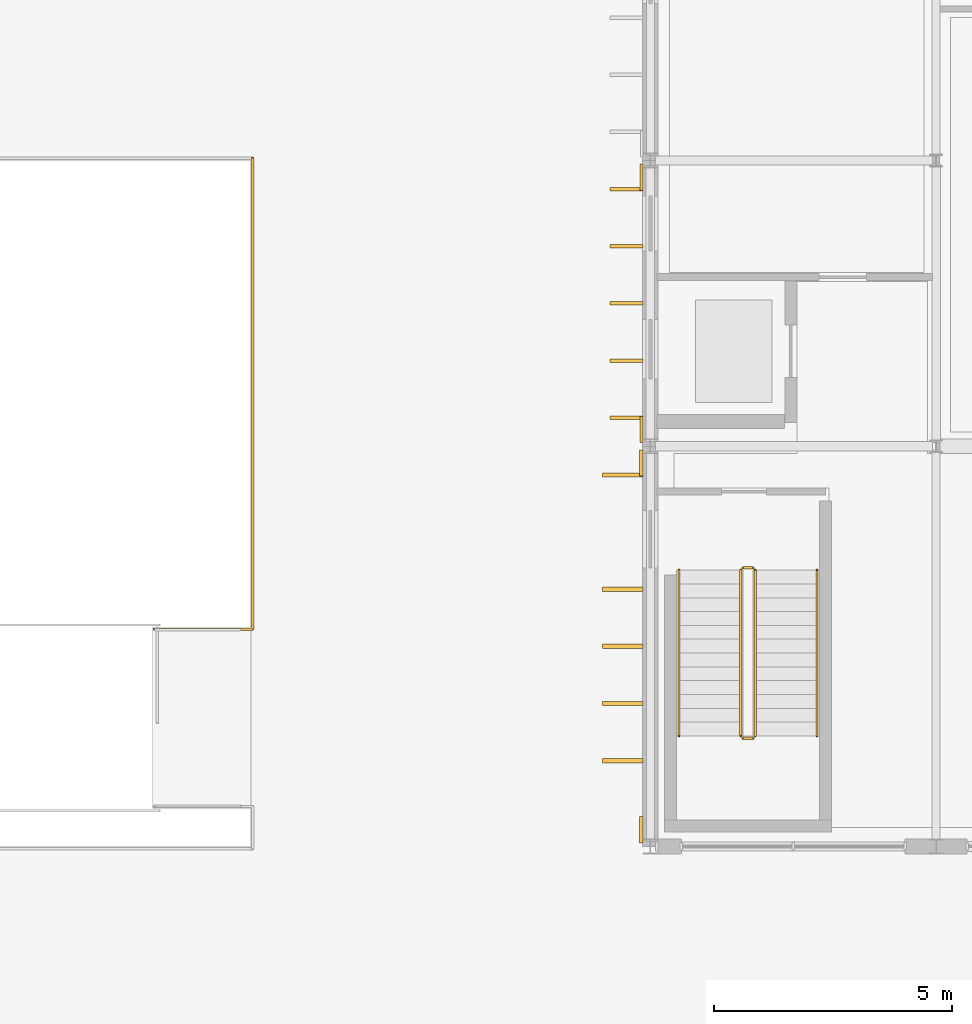
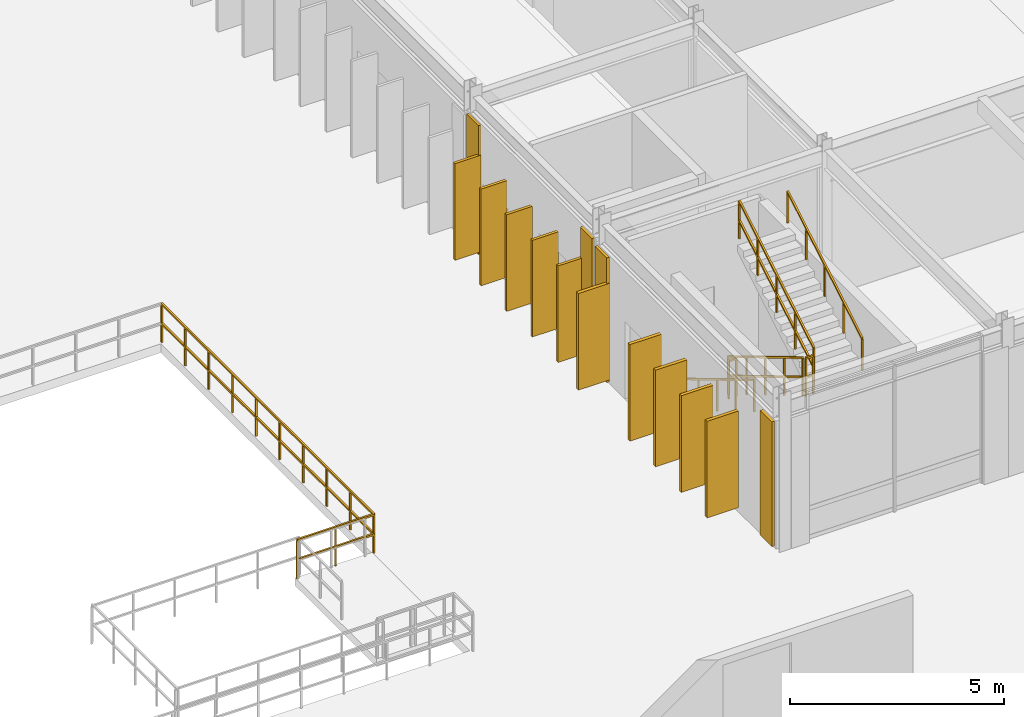
# One storey, part 54 of 67: 10 shading devices, 7 railings, 4 coverings.
"""IFC4 building model written with IfcOpenShell, lengths in metres."""

from ifc_helpers import new_model, si_unit, direction, frame, origin, origin_2d, place, context, subcontext, project, spatial, rectangle, extrude, material, layer, layer_set, type_object, element, save


model = new_model("IFC4")

# Units and contexts
model_context = context("Model", 3, precision=1e-05, world=origin(), true_north=direction((0.0, 1.0)))
body_context = subcontext(model_context, "Body", "Model", "MODEL_VIEW")
ifc_project = project(units=[si_unit("LENGTHUNIT", "METRE"), si_unit("AREAUNIT", "SQUARE_METRE"), si_unit("VOLUMEUNIT", "CUBIC_METRE"), si_unit("PLANEANGLEUNIT", "RADIAN"), si_unit("MASSUNIT", "GRAM", prefix="KILO"), si_unit("THERMODYNAMICTEMPERATUREUNIT", "KELVIN")], contexts=[model_context])

# Site, building, storey
site_placement = place(None, origin())
site = spatial("IfcSite", under=ifc_project, at=site_placement, CompositionType="ELEMENT")
building_placement = place(site_placement, origin())
building = spatial("IfcBuilding", under=site, at=building_placement, Name="Thalorik Housing Commons", CompositionType="ELEMENT")
storey_placement = place(building_placement, origin())
storey = spatial("IfcBuildingStorey", under=building, at=storey_placement, Name="L00", CompositionType="ELEMENT", Elevation=0.0)

# Coverings
ifc_material_1 = material(Name="Precast concrete C40/50", Category="concrete")
ifc_layer_1 = layer(ifc_material_1, 0.074951171875, Name="Precast concrete C40/50", Category="concrete")
ifc_layer_set_1 = layer_set([ifc_layer_1], Name="Precast concrete C40/50")
covering_type_1 = type_object("IfcCoveringType", Name="ARC-CLD-PIER-75", PredefinedType="CLADDING", material=ifc_layer_set_1)
for number, where, z_axis, x_axis, name in (
    (1, (65.810546875, 65.64990234375, 0.0498046875), (0.0, 0.0, 1.0), (0.0, -1.0, 0.0), "L00 Architectural Facade Cladding 5162"),
    (2, (65.810546875, 57.949951171875, 0.0498046875), (0.0, 0.0, 1.0), (0.0, -1.0, 0.0), "L00 Architectural Facade Cladding 5163"),
):
    element("IfcCovering", number, at=place(storey_placement, frame(where, z_axis=z_axis, x_axis=x_axis)), inside=storey, type_object=covering_type_1, Name=name, PredefinedType="CLADDING", context=body_context, shape_type="SweptSolid", body=[
        extrude(rectangle(XDim=0.550048828125, YDim=0.074951171875, at=origin_2d()), origin(), (0.0, 0.0, 1.0), 3.550048828125),
    ])
ifc_material_2 = material(Name="Mineral ochre architectural terracotta panel", Category="masonry")
ifc_layer_2 = layer(ifc_material_2, 0.06494140625, Name="Mineral ochre architectural terracotta panel", Category="masonry")
ifc_layer_set_2 = layer_set([ifc_layer_2], Name="Mineral ochre architectural terracotta panel")
covering_type_2 = type_object("IfcCoveringType", Name="ARC-CLD-YEL-65", PredefinedType="CLADDING", material=ifc_layer_set_2)
for number, where, z_axis, x_axis, name in (
    (3, (65.8154296875, 71.64990234375, 0.0498046875), (0.0, 0.0, 1.0), (0.0, -1.0, 0.0), "L00 Architectural Facade Cladding 5160"),
    (4, (65.8154296875, 66.35009765625, 0.0498046875), (0.0, 0.0, 1.0), (0.0, -1.0, 0.0), "L00 Architectural Facade Cladding 5161"),
):
    element("IfcCovering", number, at=place(storey_placement, frame(where, z_axis=z_axis, x_axis=x_axis)), inside=storey, type_object=covering_type_2, Name=name, PredefinedType="CLADDING", context=body_context, shape_type="SweptSolid", body=[
        extrude(rectangle(XDim=0.550048828125, YDim=0.06494140625, at=origin_2d()), origin(), (0.0, 0.0, 1.0), 3.672119140625),
    ])

# Shading devices
ifc_material_3 = material(Name="Cobalt blue anodised aluminium", Category="aluminium")
shading_device_type_1 = type_object("IfcShadingDeviceType", Name="ARC-FIN-BLU-700", PredefinedType="USERDEFINED", material=ifc_material_3)
for number, where, z_axis, x_axis, name in (
    (5, (65.5, 71.39990234375, 0.1201171875), (0.0, 0.0, 1.0), (0.0, -1.0, 0.0), "L00 Vertical Precast Solar Fin 42"),
    (6, (65.5, 70.199951171875, 0.1201171875), (0.0, 0.0, 1.0), (0.0, -1.0, 0.0), "L00 Vertical Precast Solar Fin 43"),
    (7, (65.5, 69.0, 0.1201171875), (0.0, 0.0, 1.0), (0.0, -1.0, 0.0), "L00 Vertical Precast Solar Fin 44"),
    (8, (65.5, 67.800048828125, 0.1201171875), (0.0, 0.0, 1.0), (0.0, -1.0, 0.0), "L00 Vertical Precast Solar Fin 45"),
    (9, (65.5, 66.60009765625, 0.1201171875), (0.0, 0.0, 1.0), (0.0, -1.0, 0.0), "L00 Vertical Precast Solar Fin 46"),
):
    element("IfcShadingDevice", number, at=place(storey_placement, frame(where, z_axis=z_axis, x_axis=x_axis)), inside=storey, type_object=shading_device_type_1, Name=name, ObjectType="FIN", PredefinedType="USERDEFINED", context=body_context, shape_type="SweptSolid", body=[
        extrude(rectangle(XDim=0.074951171875, YDim=0.699951171875, at=origin_2d()), origin(), (0.0, 0.0, 1.0), 2.75),
    ])
shading_device_type_2 = type_object("IfcShadingDeviceType", Name="ARC-FIN-PC-850A", PredefinedType="USERDEFINED", material=ifc_material_1)
for number, where, z_axis, x_axis, name in (
    (10, (65.425048828125, 65.39990234375, 0.1201171875), (0.0, 0.0, 1.0), (0.0, -1.0, 0.0), "L00 Vertical Precast Solar Fin 47"),
    (11, (65.425048828125, 63.0, 0.1201171875), (0.0, 0.0, 1.0), (0.0, -1.0, 0.0), "L00 Vertical Precast Solar Fin 48"),
    (12, (65.425048828125, 61.800048828125, 0.1201171875), (0.0, 0.0, 1.0), (0.0, -1.0, 0.0), "L00 Vertical Precast Solar Fin 49"),
    (13, (65.425048828125, 60.60009765625, 0.1201171875), (0.0, 0.0, 1.0), (0.0, -1.0, 0.0), "L00 Vertical Precast Solar Fin 50"),
    (14, (65.425048828125, 59.39990234375, 0.1201171875), (0.0, 0.0, 1.0), (0.0, -1.0, 0.0), "L00 Vertical Precast Solar Fin 51"),
):
    element("IfcShadingDevice", number, at=place(storey_placement, frame(where, z_axis=z_axis, x_axis=x_axis)), inside=storey, type_object=shading_device_type_2, Name=name, ObjectType="FIN", PredefinedType="USERDEFINED", context=body_context, shape_type="SweptSolid", body=[
        extrude(rectangle(XDim=0.090087890625, YDim=0.85009765625, at=origin_2d()), origin(), (0.0, 0.0, 1.0), 2.75),
    ])

# Railings
ifc_material_4 = material(Name="Steel S355", Category="steel")
railing_type_1 = type_object("IfcRailingType", Name="ARC-RL-STR-GRD110", PredefinedType="GUARDRAIL", material=ifc_material_4)
railing_1_placement = place(storey_placement, frame((67.89990234375, 63.39990234375, 0.173095703125)))
element("IfcRailing", 15, at=railing_1_placement, inside=storey, type_object=railing_type_1, Name="L00 ST-H1 stair guard 1", PredefinedType="GUARDRAIL", context=body_context, shape_type="SweptSolid", body=[
    extrude(rectangle(XDim=0.048095703125, YDim=0.048095703125, at=origin_2d()), frame((0.0, 0.0, 1.076171875), z_axis=(0.0, -0.858697190188, 0.512483302717), x_axis=(1.0, 0.0, 0.0)), (0.0, 0.0, 1.0), 4.052734375),
    extrude(rectangle(XDim=0.048095703125, YDim=0.048095703125, at=origin_2d()), frame((0.0, 0.0, 0.52587890625), z_axis=(0.0, -0.858697190188, 0.512483302717), x_axis=(1.0, 0.0, 0.0)), (0.0, 0.0, 1.0), 4.052734375),
    extrude(rectangle(XDim=0.0419921875, YDim=0.0419921875, at=origin_2d()), origin(), (0.0, 0.0, 1.0), 1.052001953125),
    extrude(rectangle(XDim=0.0419921875, YDim=0.0419921875, at=origin_2d()), frame((0.0, -0.8701171875, 0.519287109375)), (0.0, 0.0, 1.0), 1.052001953125),
    extrude(rectangle(XDim=0.0419921875, YDim=0.0419921875, at=origin_2d()), frame((0.0, -1.739990234375, 1.03857421875)), (0.0, 0.0, 1.0), 1.052001953125),
    extrude(rectangle(XDim=0.0419921875, YDim=0.0419921875, at=origin_2d()), frame((0.0, -2.60986328125, 1.5576171875)), (0.0, 0.0, 1.0), 1.052001953125),
    extrude(rectangle(XDim=0.0419921875, YDim=0.0419921875, at=origin_2d()), frame((0.0, -3.47998046875, 2.076904296875)), (0.0, 0.0, 1.0), 1.052001953125),
])
railing_2_placement = place(storey_placement, frame((67.949951171875, 59.8701171875, 2.25)))
element("IfcRailing", 16, at=railing_2_placement, inside=storey, type_object=railing_type_1, Name="L00 ST-H1 stair guard 2", PredefinedType="GUARDRAIL", context=body_context, shape_type="SweptSolid", body=[
    extrude(rectangle(XDim=0.048095703125, YDim=0.048095703125, at=origin_2d()), frame((0.0, 0.0, 1.076171875), z_axis=(1.0, 0.0, 0.0), x_axis=(0.0, 1.0, 0.0)), (0.0, 0.0, 1.0), 0.199951171875),
    extrude(rectangle(XDim=0.048095703125, YDim=0.048095703125, at=origin_2d()), frame((0.0, 0.0, 0.52587890625), z_axis=(1.0, 0.0, 0.0), x_axis=(0.0, 1.0, 0.0)), (0.0, 0.0, 1.0), 0.199951171875),
    extrude(rectangle(XDim=0.0419921875, YDim=0.0419921875, at=origin_2d()), origin(), (0.0, 0.0, 1.0), 1.052001953125),
    extrude(rectangle(XDim=0.0419921875, YDim=0.0419921875, at=origin_2d()), frame((0.199951171875, 0.0, 0.0)), (0.0, 0.0, 1.0), 1.052001953125),
])
railing_3_placement = place(storey_placement, frame((68.199951171875, 59.919921875, 2.423095703125)))
element("IfcRailing", 17, at=railing_3_placement, inside=storey, type_object=railing_type_1, Name="L00 ST-H1 stair guard 3", PredefinedType="GUARDRAIL", context=body_context, shape_type="SweptSolid", body=[
    extrude(rectangle(XDim=0.048095703125, YDim=0.048095703125, at=origin_2d()), frame((0.0, 0.0, 1.076171875), z_axis=(0.0, 0.858697190188, 0.512483302717), x_axis=(-1.0, 0.0, 0.0)), (0.0, 0.0, 1.0), 4.052734375),
    extrude(rectangle(XDim=0.048095703125, YDim=0.048095703125, at=origin_2d()), frame((0.0, 0.0, 0.52587890625), z_axis=(0.0, 0.858697190188, 0.512483302717), x_axis=(-1.0, 0.0, 0.0)), (0.0, 0.0, 1.0), 4.052734375),
    extrude(rectangle(XDim=0.0419921875, YDim=0.0419921875, at=origin_2d()), origin(), (0.0, 0.0, 1.0), 1.052001953125),
    extrude(rectangle(XDim=0.0419921875, YDim=0.0419921875, at=origin_2d()), frame((0.0, 0.8701171875, 0.519287109375)), (0.0, 0.0, 1.0), 1.052001953125),
    extrude(rectangle(XDim=0.0419921875, YDim=0.0419921875, at=origin_2d()), frame((0.0, 1.739990234375, 1.03857421875)), (0.0, 0.0, 1.0), 1.052001953125),
    extrude(rectangle(XDim=0.0419921875, YDim=0.0419921875, at=origin_2d()), frame((0.0, 2.60986328125, 1.5576171875)), (0.0, 0.0, 1.0), 1.052001953125),
    extrude(rectangle(XDim=0.0419921875, YDim=0.0419921875, at=origin_2d()), frame((0.0, 3.47998046875, 2.076904296875)), (0.0, 0.0, 1.0), 1.052001953125),
])
railing_4_placement = place(storey_placement, frame((67.949951171875, 63.449951171875, 0.0)))
element("IfcRailing", 18, at=railing_4_placement, inside=storey, type_object=railing_type_1, Name="L00 ST-H1 stair guard 4", PredefinedType="GUARDRAIL", context=body_context, shape_type="SweptSolid", body=[
    extrude(rectangle(XDim=0.048095703125, YDim=0.048095703125, at=origin_2d()), frame((0.0, 0.0, 1.076171875), z_axis=(1.0, 0.0, 0.0), x_axis=(0.0, 1.0, 0.0)), (0.0, 0.0, 1.0), 0.199951171875),
    extrude(rectangle(XDim=0.048095703125, YDim=0.048095703125, at=origin_2d()), frame((0.0, 0.0, 0.52587890625), z_axis=(1.0, 0.0, 0.0), x_axis=(0.0, 1.0, 0.0)), (0.0, 0.0, 1.0), 0.199951171875),
    extrude(rectangle(XDim=0.0419921875, YDim=0.0419921875, at=origin_2d()), origin(), (0.0, 0.0, 1.0), 1.052001953125),
    extrude(rectangle(XDim=0.0419921875, YDim=0.0419921875, at=origin_2d()), frame((0.199951171875, 0.0, 0.0)), (0.0, 0.0, 1.0), 1.052001953125),
])
railing_type_2 = type_object("IfcRailingType", Name="ARC-RL-STR-HR092", PredefinedType="HANDRAIL", material=ifc_material_4)
railing_5_placement = place(storey_placement, frame((66.60009765625, 63.39990234375, 0.173095703125)))
element("IfcRailing", 19, at=railing_5_placement, inside=storey, type_object=railing_type_2, Name="L00 ST-H1 stair handrail 1", PredefinedType="HANDRAIL", context=body_context, shape_type="SweptSolid", body=[
    extrude(rectangle(XDim=0.048095703125, YDim=0.048095703125, at=origin_2d()), frame((0.0, 0.0, 0.89599609375), z_axis=(0.0, -0.858697190188, 0.512483302717), x_axis=(1.0, 0.0, 0.0)), (0.0, 0.0, 1.0), 4.052734375),
    extrude(rectangle(XDim=0.0419921875, YDim=0.0419921875, at=origin_2d()), origin(), (0.0, 0.0, 1.0), 0.871826171875),
    extrude(rectangle(XDim=0.0419921875, YDim=0.0419921875, at=origin_2d()), frame((0.0, -0.8701171875, 0.519287109375)), (0.0, 0.0, 1.0), 0.871826171875),
    extrude(rectangle(XDim=0.0419921875, YDim=0.0419921875, at=origin_2d()), frame((0.0, -1.739990234375, 1.03857421875)), (0.0, 0.0, 1.0), 0.871826171875),
    extrude(rectangle(XDim=0.0419921875, YDim=0.0419921875, at=origin_2d()), frame((0.0, -2.60986328125, 1.5576171875)), (0.0, 0.0, 1.0), 0.871826171875),
    extrude(rectangle(XDim=0.0419921875, YDim=0.0419921875, at=origin_2d()), frame((0.0, -3.47998046875, 2.076904296875)), (0.0, 0.0, 1.0), 0.871826171875),
])
railing_6_placement = place(storey_placement, frame((69.5, 59.919921875, 2.423095703125)))
element("IfcRailing", 20, at=railing_6_placement, inside=storey, type_object=railing_type_2, Name="L00 ST-H1 stair handrail 2", PredefinedType="HANDRAIL", context=body_context, shape_type="SweptSolid", body=[
    extrude(rectangle(XDim=0.048095703125, YDim=0.048095703125, at=origin_2d()), frame((0.0, 0.0, 0.89599609375), z_axis=(0.0, 0.858697190188, 0.512483302717), x_axis=(-1.0, 0.0, 0.0)), (0.0, 0.0, 1.0), 4.052734375),
    extrude(rectangle(XDim=0.0419921875, YDim=0.0419921875, at=origin_2d()), origin(), (0.0, 0.0, 1.0), 0.871826171875),
    extrude(rectangle(XDim=0.0419921875, YDim=0.0419921875, at=origin_2d()), frame((0.0, 0.8701171875, 0.519287109375)), (0.0, 0.0, 1.0), 0.871826171875),
    extrude(rectangle(XDim=0.0419921875, YDim=0.0419921875, at=origin_2d()), frame((0.0, 1.739990234375, 1.03857421875)), (0.0, 0.0, 1.0), 0.871826171875),
    extrude(rectangle(XDim=0.0419921875, YDim=0.0419921875, at=origin_2d()), frame((0.0, 2.60986328125, 1.5576171875)), (0.0, 0.0, 1.0), 0.871826171875),
    extrude(rectangle(XDim=0.0419921875, YDim=0.0419921875, at=origin_2d()), frame((0.0, 3.47998046875, 2.076904296875)), (0.0, 0.0, 1.0), 0.871826171875),
])
railing_type_3 = type_object("IfcRailingType", Name="ARC-RL-VOID-112", PredefinedType="GUARDRAIL", material=ifc_material_4)
railing_7_placement = place(storey_placement, frame((55.580078125, 62.159912109375, 0.0)))
element("IfcRailing", 21, at=railing_7_placement, inside=storey, type_object=railing_type_3, Name="L00 Sunken Metro Forecourt Guardrail E2", PredefinedType="GUARDRAIL", context=body_context, shape_type="SweptSolid", body=[
    extrude(rectangle(XDim=0.048095703125, YDim=0.048095703125, at=origin_2d()), frame((0.0, 0.0, 1.09619140625), z_axis=(1.0, 0.0, 0.0), x_axis=(0.0, 1.0, 0.0)), (0.0, 0.0, 1.0), 2.06982421875),
    extrude(rectangle(XDim=0.048095703125, YDim=0.048095703125, at=origin_2d()), frame((0.0, 0.0, 0.5361328125), z_axis=(1.0, 0.0, 0.0), x_axis=(0.0, 1.0, 0.0)), (0.0, 0.0, 1.0), 2.06982421875),
    extrude(rectangle(XDim=0.048095703125, YDim=0.048095703125, at=origin_2d()), frame((2.06982421875, 0.0, 1.09619140625), z_axis=(0.0, 1.0, 0.0), x_axis=(-1.0, 0.0, 0.0)), (0.0, 0.0, 1.0), 9.89013671875),
    extrude(rectangle(XDim=0.048095703125, YDim=0.048095703125, at=origin_2d()), frame((2.06982421875, 0.0, 0.5361328125), z_axis=(0.0, 1.0, 0.0), x_axis=(-1.0, 0.0, 0.0)), (0.0, 0.0, 1.0), 9.89013671875),
    extrude(rectangle(XDim=0.0419921875, YDim=0.0419921875, at=origin_2d()), origin(), (0.0, 0.0, 1.0), 1.072021484375),
    extrude(rectangle(XDim=0.0419921875, YDim=0.0419921875, at=origin_2d()), frame((1.034912109375, 0.0, 0.0)), (0.0, 0.0, 1.0), 1.072021484375),
    extrude(rectangle(XDim=0.0419921875, YDim=0.0419921875, at=origin_2d()), frame((2.06982421875, 0.0, 0.0)), (0.0, 0.0, 1.0), 1.072021484375),
    extrude(rectangle(XDim=0.0419921875, YDim=0.0419921875, at=origin_2d()), frame((2.06982421875, 1.098876953125, 0.0)), (0.0, 0.0, 1.0), 1.072021484375),
    extrude(rectangle(XDim=0.0419921875, YDim=0.0419921875, at=origin_2d()), frame((2.06982421875, 2.19775390625, 0.0)), (0.0, 0.0, 1.0), 1.072021484375),
    extrude(rectangle(XDim=0.0419921875, YDim=0.0419921875, at=origin_2d()), frame((2.06982421875, 3.296630859375, 0.0)), (0.0, 0.0, 1.0), 1.072021484375),
    extrude(rectangle(XDim=0.0419921875, YDim=0.0419921875, at=origin_2d()), frame((2.06982421875, 4.3955078125, 0.0)), (0.0, 0.0, 1.0), 1.072021484375),
    extrude(rectangle(XDim=0.0419921875, YDim=0.0419921875, at=origin_2d()), frame((2.06982421875, 5.49462890625, 0.0)), (0.0, 0.0, 1.0), 1.072021484375),
    extrude(rectangle(XDim=0.0419921875, YDim=0.0419921875, at=origin_2d()), frame((2.06982421875, 6.593505859375, 0.0)), (0.0, 0.0, 1.0), 1.072021484375),
    extrude(rectangle(XDim=0.0419921875, YDim=0.0419921875, at=origin_2d()), frame((2.06982421875, 7.6923828125, 0.0)), (0.0, 0.0, 1.0), 1.072021484375),
    extrude(rectangle(XDim=0.0419921875, YDim=0.0419921875, at=origin_2d()), frame((2.06982421875, 8.791259765625, 0.0)), (0.0, 0.0, 1.0), 1.072021484375),
    extrude(rectangle(XDim=0.0419921875, YDim=0.0419921875, at=origin_2d()), frame((2.06982421875, 9.89013671875, 0.0)), (0.0, 0.0, 1.0), 1.072021484375),
])

save(model, "model.ifc")
